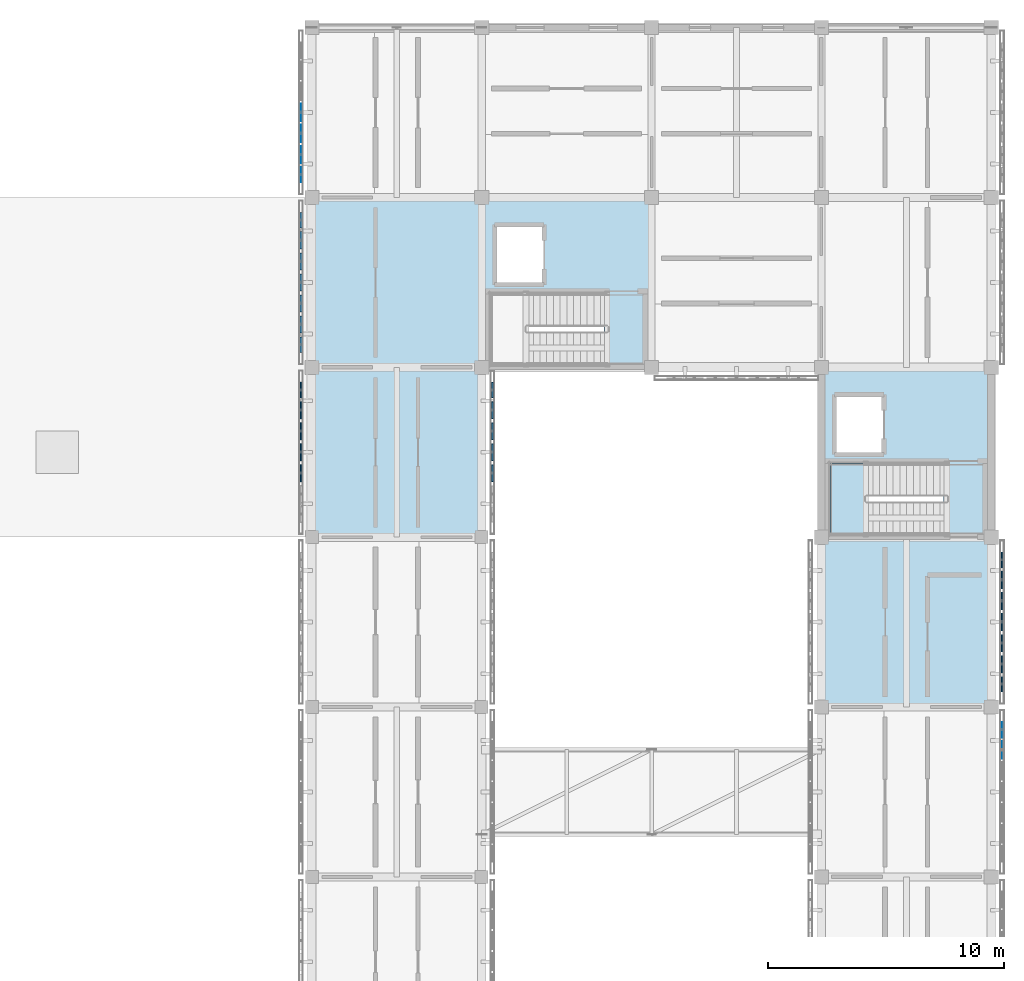
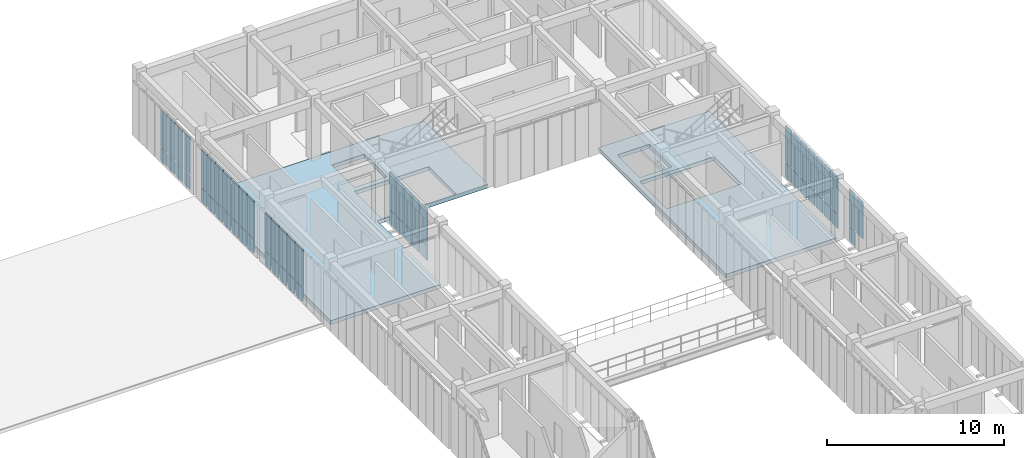
# One storey, part 60 of 91: 59 plates, 3 slabs, 7 elements without a shape of their own.
"""IFC4 building model written with IfcOpenShell, lengths in metres."""

from ifc_helpers import new_model, si_unit, direction, frame, origin, origin_2d, place, context, subcontext, project, spatial, polyline, rectangle, outline, extrude, material, layer, layer_set, type_object, element, aggregate, save


model = new_model("IFC4")

# Units and contexts
model_context = context("Model", 3, precision=1e-05, world=origin(), true_north=direction((0.0, 1.0)))
body_context = subcontext(model_context, "Body", "Model", "MODEL_VIEW")
ifc_project = project(units=[si_unit("LENGTHUNIT", "METRE"), si_unit("AREAUNIT", "SQUARE_METRE"), si_unit("VOLUMEUNIT", "CUBIC_METRE"), si_unit("PLANEANGLEUNIT", "RADIAN"), si_unit("MASSUNIT", "GRAM", prefix="KILO")], contexts=[model_context])

# Site, building, storey
site_placement = place(None, origin())
site = spatial("IfcSite", under=ifc_project, at=site_placement, CompositionType="ELEMENT")
building_placement = place(site_placement, origin())
building = spatial("IfcBuilding", under=site, at=building_placement, Name="Aldebral Square Health Centre", CompositionType="ELEMENT")
storey_placement = place(building_placement, frame((0.0, 0.0, 9.0)))
storey = spatial("IfcBuildingStorey", under=building, at=storey_placement, Name="L02", CompositionType="ELEMENT", Elevation=9.0)

# Curtain wall, plates
ifc_material_1 = material(Name="Aluminium and low-E solar glass", Category="aluminium")
curtain_wall_type = type_object("IfcCurtainWallType", Name="CW-FIN-SYS", PredefinedType="USERDEFINED", material=ifc_material_1)
curtain_wall_1_placement = place(storey_placement, origin())
curtain_wall_1 = element("IfcCurtainWall", 1, at=curtain_wall_1_placement, inside=storey, type_object=curtain_wall_type, Name="L02 V5 finned curtain wall L02-V5-19-15-W", ObjectType="SOLAR_CURTAIN_WALL", PredefinedType="USERDEFINED")
ifc_material_2 = material(Name="Solar-control low-E double glass", Category="glass")
ifc_layer_1 = layer(ifc_material_2, 0.02001953125, Name="Solar-control low-E double glass", Category="glass")
ifc_layer_set_1 = layer_set([ifc_layer_1], Name="Solar-control low-E double glass")
plate_type_1 = type_object("IfcPlateType", Name="CWP-GLZ-1", PredefinedType="CURTAIN_PANEL", material=ifc_layer_set_1)
plate_1_placement = place(storey_placement, frame((136.340087890625, 111.60009765625, 0.074951171875), z_axis=(0.0, 0.0, 1.0), x_axis=(0.0, -1.0, 0.0)))
plate_1 = element("IfcPlate", 2, at=plate_1_placement, type_object=plate_type_1, Name="CW1 panel 4.1", PredefinedType="CURTAIN_PANEL", context=body_context, shape_type="SweptSolid", body=[
    extrude(rectangle(XDim=0.7314453125, YDim=0.02001953125, at=origin_2d()), origin(), (0.0, 0.0, 1.0), 0.9375),
])
plate_2_placement = place(storey_placement, frame((136.340087890625, 111.60009765625, 1.08740234375), z_axis=(0.0, 0.0, 1.0), x_axis=(0.0, -1.0, 0.0)))
plate_2 = element("IfcPlate", 3, at=plate_2_placement, type_object=plate_type_1, Name="CW1 panel 4.2", PredefinedType="CURTAIN_PANEL", context=body_context, shape_type="SweptSolid", body=[
    extrude(rectangle(XDim=0.7314453125, YDim=0.02001953125, at=origin_2d()), origin(), (0.0, 0.0, 1.0), 2.527587890625),
])
plate_3_placement = place(storey_placement, frame((136.340087890625, 110.70849609375, 0.074951171875), z_axis=(0.0, 0.0, 1.0), x_axis=(0.0, -1.0, 0.0)))
plate_3 = element("IfcPlate", 4, at=plate_3_placement, type_object=plate_type_1, Name="CW1 panel 5.1", PredefinedType="CURTAIN_PANEL", context=body_context, shape_type="SweptSolid", body=[
    extrude(rectangle(XDim=0.7314453125, YDim=0.02001953125, at=origin_2d()), origin(), (0.0, 0.0, 1.0), 0.9375),
])
plate_4_placement = place(storey_placement, frame((136.340087890625, 110.70849609375, 1.08740234375), z_axis=(0.0, 0.0, 1.0), x_axis=(0.0, -1.0, 0.0)))
plate_4 = element("IfcPlate", 5, at=plate_4_placement, type_object=plate_type_1, Name="CW1 panel 5.2", PredefinedType="CURTAIN_PANEL", context=body_context, shape_type="SweptSolid", body=[
    extrude(rectangle(XDim=0.7314453125, YDim=0.02001953125, at=origin_2d()), origin(), (0.0, 0.0, 1.0), 2.527587890625),
])
plate_5_placement = place(storey_placement, frame((136.340087890625, 109.817138671875, 0.074951171875), z_axis=(0.0, 0.0, 1.0), x_axis=(0.0, -1.0, 0.0)))
plate_5 = element("IfcPlate", 6, at=plate_5_placement, type_object=plate_type_1, Name="CW1 panel 6.1", PredefinedType="CURTAIN_PANEL", context=body_context, shape_type="SweptSolid", body=[
    extrude(rectangle(XDim=0.7314453125, YDim=0.02001953125, at=origin_2d()), origin(), (0.0, 0.0, 1.0), 0.9375),
])
plate_6_placement = place(storey_placement, frame((136.340087890625, 109.817138671875, 1.08740234375), z_axis=(0.0, 0.0, 1.0), x_axis=(0.0, -1.0, 0.0)))
plate_6 = element("IfcPlate", 7, at=plate_6_placement, type_object=plate_type_1, Name="CW1 panel 6.2", PredefinedType="CURTAIN_PANEL", context=body_context, shape_type="SweptSolid", body=[
    extrude(rectangle(XDim=0.7314453125, YDim=0.02001953125, at=origin_2d()), origin(), (0.0, 0.0, 1.0), 2.527587890625),
])
plate_7_placement = place(storey_placement, frame((136.340087890625, 108.9658203125, 0.074951171875), z_axis=(0.0, 0.0, 1.0), x_axis=(0.0, -1.0, 0.0)))
plate_7 = element("IfcPlate", 8, at=plate_7_placement, type_object=plate_type_1, Name="CW1 panel 7.1", PredefinedType="CURTAIN_PANEL", context=body_context, shape_type="SweptSolid", body=[
    extrude(rectangle(XDim=0.6513671875, YDim=0.02001953125, at=origin_2d()), origin(), (0.0, 0.0, 1.0), 0.9375),
])
plate_8_placement = place(storey_placement, frame((136.340087890625, 108.9658203125, 1.08740234375), z_axis=(0.0, 0.0, 1.0), x_axis=(0.0, -1.0, 0.0)))
plate_8 = element("IfcPlate", 9, at=plate_8_placement, type_object=plate_type_1, Name="CW1 panel 7.2", PredefinedType="CURTAIN_PANEL", context=body_context, shape_type="SweptSolid", body=[
    extrude(rectangle(XDim=0.6513671875, YDim=0.02001953125, at=origin_2d()), origin(), (0.0, 0.0, 1.0), 2.527587890625),
])
aggregate(curtain_wall_1, [plate_1, plate_2, plate_3, plate_4, plate_5, plate_6, plate_7, plate_8])

curtain_wall_2_placement = place(storey_placement, origin())
curtain_wall_2 = element("IfcCurtainWall", 10, at=curtain_wall_2_placement, inside=storey, type_object=curtain_wall_type, Name="L02 V5 finned curtain wall L02-V5-22-11-E", ObjectType="SOLAR_CURTAIN_WALL", PredefinedType="USERDEFINED")
ifc_layer_2 = layer(ifc_material_2, 0.0400390625, Name="Solar-control low-E double glass", Category="glass")
ifc_layer_set_2 = layer_set([ifc_layer_2], Name="Solar-control low-E double glass")
plate_type_2 = type_object("IfcPlateType", Name="CWP-GLZ-3", PredefinedType="CURTAIN_PANEL", material=ifc_layer_set_2)
plate_9_placement = place(storey_placement, frame((166.06005859375, 84.582763671875, 1.08740234375), z_axis=(0.0, 0.0, 1.0), x_axis=(0.0, 1.0, 0.0)))
plate_9 = element("IfcPlate", 11, at=plate_9_placement, type_object=plate_type_2, Name="CW1 panel 6.2", PredefinedType="CURTAIN_PANEL", context=body_context, shape_type="SweptSolid", body=[
    extrude(rectangle(XDim=0.7314453125, YDim=0.0400390625, at=origin_2d()), origin(), (0.0, 0.0, 1.0), 2.527587890625),
])
plate_10_placement = place(storey_placement, frame((166.06005859375, 85.434326171875, 0.074951171875), z_axis=(0.0, 0.0, 1.0), x_axis=(0.0, 1.0, 0.0)))
plate_10 = element("IfcPlate", 12, at=plate_10_placement, type_object=plate_type_2, Name="CW1 panel 7.1", PredefinedType="CURTAIN_PANEL", context=body_context, shape_type="SweptSolid", body=[
    extrude(rectangle(XDim=0.6513671875, YDim=0.0400390625, at=origin_2d()), origin(), (0.0, 0.0, 1.0), 0.9375),
])
plate_11_placement = place(storey_placement, frame((166.06005859375, 85.434326171875, 1.08740234375), z_axis=(0.0, 0.0, 1.0), x_axis=(0.0, 1.0, 0.0)))
plate_11 = element("IfcPlate", 13, at=plate_11_placement, type_object=plate_type_2, Name="CW1 panel 7.2", PredefinedType="CURTAIN_PANEL", context=body_context, shape_type="SweptSolid", body=[
    extrude(rectangle(XDim=0.6513671875, YDim=0.0400390625, at=origin_2d()), origin(), (0.0, 0.0, 1.0), 2.527587890625),
])
aggregate(curtain_wall_2, [plate_9, plate_10, plate_11])

curtain_wall_3_placement = place(storey_placement, origin())
curtain_wall_3 = element("IfcCurtainWall", 14, at=curtain_wall_3_placement, inside=storey, type_object=curtain_wall_type, Name="L02 V5 finned curtain wall L02-V5-22-12-E", ObjectType="SOLAR_CURTAIN_WALL", PredefinedType="USERDEFINED")
ifc_layer_3 = layer(ifc_material_2, 0.06005859375, Name="Solar-control low-E double glass", Category="glass")
ifc_layer_set_3 = layer_set([ifc_layer_3], Name="Solar-control low-E double glass")
plate_type_3 = type_object("IfcPlateType", Name="CWP-GLZ-5", PredefinedType="CURTAIN_PANEL", material=ifc_layer_set_3)
plate_12_placement = place(storey_placement, frame((166.06005859375, 87.36572265625, 0.074951171875), z_axis=(0.0, 0.0, 1.0), x_axis=(0.0, 1.0, 0.0)))
plate_12 = element("IfcPlate", 15, at=plate_12_placement, type_object=plate_type_3, Name="CW1 panel 1.1", PredefinedType="CURTAIN_PANEL", context=body_context, shape_type="SweptSolid", body=[
    extrude(rectangle(XDim=0.6513671875, YDim=0.06005859375, at=origin_2d()), origin(), (0.0, 0.0, 1.0), 0.9375),
])
plate_13_placement = place(storey_placement, frame((166.06005859375, 87.36572265625, 1.08740234375), z_axis=(0.0, 0.0, 1.0), x_axis=(0.0, 1.0, 0.0)))
plate_13 = element("IfcPlate", 16, at=plate_13_placement, type_object=plate_type_3, Name="CW1 panel 1.2", PredefinedType="CURTAIN_PANEL", context=body_context, shape_type="SweptSolid", body=[
    extrude(rectangle(XDim=0.6513671875, YDim=0.06005859375, at=origin_2d()), origin(), (0.0, 0.0, 1.0), 2.527587890625),
])
plate_14_placement = place(storey_placement, frame((166.06005859375, 88.217041015625, 0.074951171875), z_axis=(0.0, 0.0, 1.0), x_axis=(0.0, 1.0, 0.0)))
plate_14 = element("IfcPlate", 17, at=plate_14_placement, type_object=plate_type_3, Name="CW1 panel 2.1", PredefinedType="CURTAIN_PANEL", context=body_context, shape_type="SweptSolid", body=[
    extrude(rectangle(XDim=0.7314453125, YDim=0.06005859375, at=origin_2d()), origin(), (0.0, 0.0, 1.0), 0.9375),
])
plate_15_placement = place(storey_placement, frame((166.06005859375, 88.217041015625, 1.08740234375), z_axis=(0.0, 0.0, 1.0), x_axis=(0.0, 1.0, 0.0)))
plate_15 = element("IfcPlate", 18, at=plate_15_placement, type_object=plate_type_3, Name="CW1 panel 2.2", PredefinedType="CURTAIN_PANEL", context=body_context, shape_type="SweptSolid", body=[
    extrude(rectangle(XDim=0.7314453125, YDim=0.06005859375, at=origin_2d()), origin(), (0.0, 0.0, 1.0), 2.527587890625),
])
plate_16_placement = place(storey_placement, frame((166.06005859375, 89.108642578125, 0.074951171875), z_axis=(0.0, 0.0, 1.0), x_axis=(0.0, 1.0, 0.0)))
plate_16 = element("IfcPlate", 19, at=plate_16_placement, type_object=plate_type_3, Name="CW1 panel 3.1", PredefinedType="CURTAIN_PANEL", context=body_context, shape_type="SweptSolid", body=[
    extrude(rectangle(XDim=0.7314453125, YDim=0.06005859375, at=origin_2d()), origin(), (0.0, 0.0, 1.0), 0.9375),
])
plate_17_placement = place(storey_placement, frame((166.06005859375, 89.108642578125, 1.08740234375), z_axis=(0.0, 0.0, 1.0), x_axis=(0.0, 1.0, 0.0)))
plate_17 = element("IfcPlate", 20, at=plate_17_placement, type_object=plate_type_3, Name="CW1 panel 3.2", PredefinedType="CURTAIN_PANEL", context=body_context, shape_type="SweptSolid", body=[
    extrude(rectangle(XDim=0.7314453125, YDim=0.06005859375, at=origin_2d()), origin(), (0.0, 0.0, 1.0), 2.527587890625),
])
plate_18_placement = place(storey_placement, frame((166.06005859375, 90.0, 0.074951171875), z_axis=(0.0, 0.0, 1.0), x_axis=(0.0, 1.0, 0.0)))
plate_18 = element("IfcPlate", 21, at=plate_18_placement, type_object=plate_type_3, Name="CW1 panel 4.1", PredefinedType="CURTAIN_PANEL", context=body_context, shape_type="SweptSolid", body=[
    extrude(rectangle(XDim=0.7314453125, YDim=0.06005859375, at=origin_2d()), origin(), (0.0, 0.0, 1.0), 0.9375),
])
plate_19_placement = place(storey_placement, frame((166.06005859375, 90.0, 1.08740234375), z_axis=(0.0, 0.0, 1.0), x_axis=(0.0, 1.0, 0.0)))
plate_19 = element("IfcPlate", 22, at=plate_19_placement, type_object=plate_type_3, Name="CW1 panel 4.2", PredefinedType="CURTAIN_PANEL", context=body_context, shape_type="SweptSolid", body=[
    extrude(rectangle(XDim=0.7314453125, YDim=0.06005859375, at=origin_2d()), origin(), (0.0, 0.0, 1.0), 2.527587890625),
])
plate_20_placement = place(storey_placement, frame((166.06005859375, 90.891357421875, 0.074951171875), z_axis=(0.0, 0.0, 1.0), x_axis=(0.0, 1.0, 0.0)))
plate_20 = element("IfcPlate", 23, at=plate_20_placement, type_object=plate_type_3, Name="CW1 panel 5.1", PredefinedType="CURTAIN_PANEL", context=body_context, shape_type="SweptSolid", body=[
    extrude(rectangle(XDim=0.7314453125, YDim=0.06005859375, at=origin_2d()), origin(), (0.0, 0.0, 1.0), 0.9375),
])
plate_21_placement = place(storey_placement, frame((166.06005859375, 90.891357421875, 1.08740234375), z_axis=(0.0, 0.0, 1.0), x_axis=(0.0, 1.0, 0.0)))
plate_21 = element("IfcPlate", 24, at=plate_21_placement, type_object=plate_type_3, Name="CW1 panel 5.2", PredefinedType="CURTAIN_PANEL", context=body_context, shape_type="SweptSolid", body=[
    extrude(rectangle(XDim=0.7314453125, YDim=0.06005859375, at=origin_2d()), origin(), (0.0, 0.0, 1.0), 2.527587890625),
])
plate_22_placement = place(storey_placement, frame((166.06005859375, 91.782958984375, 0.074951171875), z_axis=(0.0, 0.0, 1.0), x_axis=(0.0, 1.0, 0.0)))
plate_22 = element("IfcPlate", 25, at=plate_22_placement, type_object=plate_type_3, Name="CW1 panel 6.1", PredefinedType="CURTAIN_PANEL", context=body_context, shape_type="SweptSolid", body=[
    extrude(rectangle(XDim=0.7314453125, YDim=0.06005859375, at=origin_2d()), origin(), (0.0, 0.0, 1.0), 0.9375),
])
plate_23_placement = place(storey_placement, frame((166.06005859375, 91.782958984375, 1.08740234375), z_axis=(0.0, 0.0, 1.0), x_axis=(0.0, 1.0, 0.0)))
plate_23 = element("IfcPlate", 26, at=plate_23_placement, type_object=plate_type_3, Name="CW1 panel 6.2", PredefinedType="CURTAIN_PANEL", context=body_context, shape_type="SweptSolid", body=[
    extrude(rectangle(XDim=0.7314453125, YDim=0.06005859375, at=origin_2d()), origin(), (0.0, 0.0, 1.0), 2.527587890625),
])
plate_24_placement = place(storey_placement, frame((166.06005859375, 92.63427734375, 0.074951171875), z_axis=(0.0, 0.0, 1.0), x_axis=(0.0, 1.0, 0.0)))
plate_24 = element("IfcPlate", 27, at=plate_24_placement, type_object=plate_type_3, Name="CW1 panel 7.1", PredefinedType="CURTAIN_PANEL", context=body_context, shape_type="SweptSolid", body=[
    extrude(rectangle(XDim=0.6513671875, YDim=0.06005859375, at=origin_2d()), origin(), (0.0, 0.0, 1.0), 0.9375),
])
plate_25_placement = place(storey_placement, frame((166.06005859375, 92.63427734375, 1.08740234375), z_axis=(0.0, 0.0, 1.0), x_axis=(0.0, 1.0, 0.0)))
plate_25 = element("IfcPlate", 28, at=plate_25_placement, type_object=plate_type_3, Name="CW1 panel 7.2", PredefinedType="CURTAIN_PANEL", context=body_context, shape_type="SweptSolid", body=[
    extrude(rectangle(XDim=0.6513671875, YDim=0.06005859375, at=origin_2d()), origin(), (0.0, 0.0, 1.0), 2.527587890625),
])
aggregate(curtain_wall_3, [plate_12, plate_13, plate_14, plate_15, plate_16, plate_17, plate_18, plate_19, plate_20, plate_21, plate_22, plate_23, plate_24, plate_25])

curtain_wall_4_placement = place(storey_placement, origin())
curtain_wall_4 = element("IfcCurtainWall", 29, at=curtain_wall_4_placement, inside=storey, type_object=curtain_wall_type, Name="L02 V5 finned curtain wall L02-V5-19-13-W", ObjectType="SOLAR_CURTAIN_WALL", PredefinedType="USERDEFINED")
ifc_layer_4 = layer(ifc_material_2, 0.070068359375, Name="Solar-control low-E double glass", Category="glass")
ifc_layer_set_4 = layer_set([ifc_layer_4], Name="Solar-control low-E double glass")
plate_type_4 = type_object("IfcPlateType", Name="CWP-GLZ-6", PredefinedType="CURTAIN_PANEL", material=ifc_layer_set_4)
plate_26_placement = place(storey_placement, frame((136.340087890625, 99.834228515625, 0.074951171875), z_axis=(0.0, 0.0, 1.0), x_axis=(0.0, -1.0, 0.0)))
plate_26 = element("IfcPlate", 30, at=plate_26_placement, type_object=plate_type_4, Name="CW1 panel 1.1", PredefinedType="CURTAIN_PANEL", context=body_context, shape_type="SweptSolid", body=[
    extrude(rectangle(XDim=0.6513671875, YDim=0.070068359375, at=origin_2d()), origin(), (0.0, 0.0, 1.0), 0.9375),
])
plate_27_placement = place(storey_placement, frame((136.340087890625, 99.834228515625, 1.08740234375), z_axis=(0.0, 0.0, 1.0), x_axis=(0.0, -1.0, 0.0)))
plate_27 = element("IfcPlate", 31, at=plate_27_placement, type_object=plate_type_4, Name="CW1 panel 1.2", PredefinedType="CURTAIN_PANEL", context=body_context, shape_type="SweptSolid", body=[
    extrude(rectangle(XDim=0.6513671875, YDim=0.070068359375, at=origin_2d()), origin(), (0.0, 0.0, 1.0), 2.527587890625),
])
plate_28_placement = place(storey_placement, frame((136.340087890625, 98.98291015625, 0.074951171875), z_axis=(0.0, 0.0, 1.0), x_axis=(0.0, -1.0, 0.0)))
plate_28 = element("IfcPlate", 32, at=plate_28_placement, type_object=plate_type_4, Name="CW1 panel 2.1", PredefinedType="CURTAIN_PANEL", context=body_context, shape_type="SweptSolid", body=[
    extrude(rectangle(XDim=0.7314453125, YDim=0.070068359375, at=origin_2d()), origin(), (0.0, 0.0, 1.0), 0.9375),
])
plate_29_placement = place(storey_placement, frame((136.340087890625, 98.98291015625, 1.08740234375), z_axis=(0.0, 0.0, 1.0), x_axis=(0.0, -1.0, 0.0)))
plate_29 = element("IfcPlate", 33, at=plate_29_placement, type_object=plate_type_4, Name="CW1 panel 2.2", PredefinedType="CURTAIN_PANEL", context=body_context, shape_type="SweptSolid", body=[
    extrude(rectangle(XDim=0.7314453125, YDim=0.070068359375, at=origin_2d()), origin(), (0.0, 0.0, 1.0), 2.527587890625),
])
plate_30_placement = place(storey_placement, frame((136.340087890625, 98.09130859375, 0.074951171875), z_axis=(0.0, 0.0, 1.0), x_axis=(0.0, -1.0, 0.0)))
plate_30 = element("IfcPlate", 34, at=plate_30_placement, type_object=plate_type_4, Name="CW1 panel 3.1", PredefinedType="CURTAIN_PANEL", context=body_context, shape_type="SweptSolid", body=[
    extrude(rectangle(XDim=0.7314453125, YDim=0.070068359375, at=origin_2d()), origin(), (0.0, 0.0, 1.0), 0.9375),
])
plate_31_placement = place(storey_placement, frame((136.340087890625, 98.09130859375, 1.08740234375), z_axis=(0.0, 0.0, 1.0), x_axis=(0.0, -1.0, 0.0)))
plate_31 = element("IfcPlate", 35, at=plate_31_placement, type_object=plate_type_4, Name="CW1 panel 3.2", PredefinedType="CURTAIN_PANEL", context=body_context, shape_type="SweptSolid", body=[
    extrude(rectangle(XDim=0.7314453125, YDim=0.070068359375, at=origin_2d()), origin(), (0.0, 0.0, 1.0), 2.527587890625),
])
plate_32_placement = place(storey_placement, frame((136.340087890625, 97.199951171875, 0.074951171875), z_axis=(0.0, 0.0, 1.0), x_axis=(0.0, -1.0, 0.0)))
plate_32 = element("IfcPlate", 36, at=plate_32_placement, type_object=plate_type_4, Name="CW1 panel 4.1", PredefinedType="CURTAIN_PANEL", context=body_context, shape_type="SweptSolid", body=[
    extrude(rectangle(XDim=0.7314453125, YDim=0.070068359375, at=origin_2d()), origin(), (0.0, 0.0, 1.0), 0.9375),
])
plate_33_placement = place(storey_placement, frame((136.340087890625, 97.199951171875, 1.08740234375), z_axis=(0.0, 0.0, 1.0), x_axis=(0.0, -1.0, 0.0)))
plate_33 = element("IfcPlate", 37, at=plate_33_placement, type_object=plate_type_4, Name="CW1 panel 4.2", PredefinedType="CURTAIN_PANEL", context=body_context, shape_type="SweptSolid", body=[
    extrude(rectangle(XDim=0.7314453125, YDim=0.070068359375, at=origin_2d()), origin(), (0.0, 0.0, 1.0), 2.527587890625),
])
plate_34_placement = place(storey_placement, frame((136.340087890625, 96.30859375, 0.074951171875), z_axis=(0.0, 0.0, 1.0), x_axis=(0.0, -1.0, 0.0)))
plate_34 = element("IfcPlate", 38, at=plate_34_placement, type_object=plate_type_4, Name="CW1 panel 5.1", PredefinedType="CURTAIN_PANEL", context=body_context, shape_type="SweptSolid", body=[
    extrude(rectangle(XDim=0.7314453125, YDim=0.070068359375, at=origin_2d()), origin(), (0.0, 0.0, 1.0), 0.9375),
])
plate_35_placement = place(storey_placement, frame((136.340087890625, 96.30859375, 1.08740234375), z_axis=(0.0, 0.0, 1.0), x_axis=(0.0, -1.0, 0.0)))
plate_35 = element("IfcPlate", 39, at=plate_35_placement, type_object=plate_type_4, Name="CW1 panel 5.2", PredefinedType="CURTAIN_PANEL", context=body_context, shape_type="SweptSolid", body=[
    extrude(rectangle(XDim=0.7314453125, YDim=0.070068359375, at=origin_2d()), origin(), (0.0, 0.0, 1.0), 2.527587890625),
])
aggregate(curtain_wall_4, [plate_26, plate_27, plate_28, plate_29, plate_30, plate_31, plate_32, plate_33, plate_34, plate_35])

curtain_wall_5_placement = place(storey_placement, origin())
curtain_wall_5 = element("IfcCurtainWall", 40, at=curtain_wall_5_placement, inside=storey, type_object=curtain_wall_type, Name="L02 V5 finned curtain wall L02-V5-19-13-E", ObjectType="SOLAR_CURTAIN_WALL", PredefinedType="USERDEFINED")
ifc_layer_5 = layer(ifc_material_2, 0.080078125, Name="Solar-control low-E double glass", Category="glass")
ifc_layer_set_5 = layer_set([ifc_layer_5], Name="Solar-control low-E double glass")
plate_type_5 = type_object("IfcPlateType", Name="CWP-GLZ-7", PredefinedType="CURTAIN_PANEL", material=ifc_layer_set_5)
plate_36_placement = place(storey_placement, frame((144.4599609375, 96.30859375, 0.074951171875), z_axis=(0.0, 0.0, 1.0), x_axis=(0.0, 1.0, 0.0)))
plate_36 = element("IfcPlate", 41, at=plate_36_placement, type_object=plate_type_5, Name="CW1 panel 3.1", PredefinedType="CURTAIN_PANEL", context=body_context, shape_type="SweptSolid", body=[
    extrude(rectangle(XDim=0.7314453125, YDim=0.080078125, at=origin_2d()), origin(), (0.0, 0.0, 1.0), 0.9375),
])
plate_37_placement = place(storey_placement, frame((144.4599609375, 96.30859375, 1.08740234375), z_axis=(0.0, 0.0, 1.0), x_axis=(0.0, 1.0, 0.0)))
plate_37 = element("IfcPlate", 42, at=plate_37_placement, type_object=plate_type_5, Name="CW1 panel 3.2", PredefinedType="CURTAIN_PANEL", context=body_context, shape_type="SweptSolid", body=[
    extrude(rectangle(XDim=0.7314453125, YDim=0.080078125, at=origin_2d()), origin(), (0.0, 0.0, 1.0), 2.527587890625),
])
plate_38_placement = place(storey_placement, frame((144.4599609375, 97.199951171875, 0.074951171875), z_axis=(0.0, 0.0, 1.0), x_axis=(0.0, 1.0, 0.0)))
plate_38 = element("IfcPlate", 43, at=plate_38_placement, type_object=plate_type_5, Name="CW1 panel 4.1", PredefinedType="CURTAIN_PANEL", context=body_context, shape_type="SweptSolid", body=[
    extrude(rectangle(XDim=0.7314453125, YDim=0.080078125, at=origin_2d()), origin(), (0.0, 0.0, 1.0), 0.9375),
])
plate_39_placement = place(storey_placement, frame((144.4599609375, 97.199951171875, 1.08740234375), z_axis=(0.0, 0.0, 1.0), x_axis=(0.0, 1.0, 0.0)))
plate_39 = element("IfcPlate", 44, at=plate_39_placement, type_object=plate_type_5, Name="CW1 panel 4.2", PredefinedType="CURTAIN_PANEL", context=body_context, shape_type="SweptSolid", body=[
    extrude(rectangle(XDim=0.7314453125, YDim=0.080078125, at=origin_2d()), origin(), (0.0, 0.0, 1.0), 2.527587890625),
])
plate_40_placement = place(storey_placement, frame((144.4599609375, 98.09130859375, 0.074951171875), z_axis=(0.0, 0.0, 1.0), x_axis=(0.0, 1.0, 0.0)))
plate_40 = element("IfcPlate", 45, at=plate_40_placement, type_object=plate_type_5, Name="CW1 panel 5.1", PredefinedType="CURTAIN_PANEL", context=body_context, shape_type="SweptSolid", body=[
    extrude(rectangle(XDim=0.7314453125, YDim=0.080078125, at=origin_2d()), origin(), (0.0, 0.0, 1.0), 0.9375),
])
plate_41_placement = place(storey_placement, frame((144.4599609375, 98.09130859375, 1.08740234375), z_axis=(0.0, 0.0, 1.0), x_axis=(0.0, 1.0, 0.0)))
plate_41 = element("IfcPlate", 46, at=plate_41_placement, type_object=plate_type_5, Name="CW1 panel 5.2", PredefinedType="CURTAIN_PANEL", context=body_context, shape_type="SweptSolid", body=[
    extrude(rectangle(XDim=0.7314453125, YDim=0.080078125, at=origin_2d()), origin(), (0.0, 0.0, 1.0), 2.527587890625),
])
plate_42_placement = place(storey_placement, frame((144.4599609375, 98.98291015625, 0.074951171875), z_axis=(0.0, 0.0, 1.0), x_axis=(0.0, 1.0, 0.0)))
plate_42 = element("IfcPlate", 47, at=plate_42_placement, type_object=plate_type_5, Name="CW1 panel 6.1", PredefinedType="CURTAIN_PANEL", context=body_context, shape_type="SweptSolid", body=[
    extrude(rectangle(XDim=0.7314453125, YDim=0.080078125, at=origin_2d()), origin(), (0.0, 0.0, 1.0), 0.9375),
])
plate_43_placement = place(storey_placement, frame((144.4599609375, 98.98291015625, 1.08740234375), z_axis=(0.0, 0.0, 1.0), x_axis=(0.0, 1.0, 0.0)))
plate_43 = element("IfcPlate", 48, at=plate_43_placement, type_object=plate_type_5, Name="CW1 panel 6.2", PredefinedType="CURTAIN_PANEL", context=body_context, shape_type="SweptSolid", body=[
    extrude(rectangle(XDim=0.7314453125, YDim=0.080078125, at=origin_2d()), origin(), (0.0, 0.0, 1.0), 2.527587890625),
])
plate_44_placement = place(storey_placement, frame((144.4599609375, 99.834228515625, 0.074951171875), z_axis=(0.0, 0.0, 1.0), x_axis=(0.0, 1.0, 0.0)))
plate_44 = element("IfcPlate", 49, at=plate_44_placement, type_object=plate_type_5, Name="CW1 panel 7.1", PredefinedType="CURTAIN_PANEL", context=body_context, shape_type="SweptSolid", body=[
    extrude(rectangle(XDim=0.6513671875, YDim=0.080078125, at=origin_2d()), origin(), (0.0, 0.0, 1.0), 0.9375),
])
plate_45_placement = place(storey_placement, frame((144.4599609375, 99.834228515625, 1.08740234375), z_axis=(0.0, 0.0, 1.0), x_axis=(0.0, 1.0, 0.0)))
plate_45 = element("IfcPlate", 50, at=plate_45_placement, type_object=plate_type_5, Name="CW1 panel 7.2", PredefinedType="CURTAIN_PANEL", context=body_context, shape_type="SweptSolid", body=[
    extrude(rectangle(XDim=0.6513671875, YDim=0.080078125, at=origin_2d()), origin(), (0.0, 0.0, 1.0), 2.527587890625),
])
aggregate(curtain_wall_5, [plate_36, plate_37, plate_38, plate_39, plate_40, plate_41, plate_42, plate_43, plate_44, plate_45])

curtain_wall_6_placement = place(storey_placement, origin())
curtain_wall_6 = element("IfcCurtainWall", 51, at=curtain_wall_6_placement, inside=storey, type_object=curtain_wall_type, Name="L02 V5 finned curtain wall L02-V5-19-14-W", ObjectType="SOLAR_CURTAIN_WALL", PredefinedType="USERDEFINED")
ifc_layer_6 = layer(ifc_material_2, 0.090087890625, Name="Solar-control low-E double glass", Category="glass")
ifc_layer_set_6 = layer_set([ifc_layer_6], Name="Solar-control low-E double glass")
plate_type_6 = type_object("IfcPlateType", Name="CWP-GLZ-8", PredefinedType="CURTAIN_PANEL", material=ifc_layer_set_6)
plate_46_placement = place(storey_placement, frame((136.340087890625, 107.0341796875, 0.074951171875), z_axis=(0.0, 0.0, 1.0), x_axis=(0.0, -1.0, 0.0)))
plate_46 = element("IfcPlate", 52, at=plate_46_placement, type_object=plate_type_6, Name="CW1 panel 1.1", PredefinedType="CURTAIN_PANEL", context=body_context, shape_type="SweptSolid", body=[
    extrude(rectangle(XDim=0.6513671875, YDim=0.090087890625, at=origin_2d()), origin(), (0.0, 0.0, 1.0), 0.9375),
])
plate_47_placement = place(storey_placement, frame((136.340087890625, 107.0341796875, 1.08740234375), z_axis=(0.0, 0.0, 1.0), x_axis=(0.0, -1.0, 0.0)))
plate_47 = element("IfcPlate", 53, at=plate_47_placement, type_object=plate_type_6, Name="CW1 panel 1.2", PredefinedType="CURTAIN_PANEL", context=body_context, shape_type="SweptSolid", body=[
    extrude(rectangle(XDim=0.6513671875, YDim=0.090087890625, at=origin_2d()), origin(), (0.0, 0.0, 1.0), 2.527587890625),
])
plate_48_placement = place(storey_placement, frame((136.340087890625, 106.182861328125, 0.074951171875), z_axis=(0.0, 0.0, 1.0), x_axis=(0.0, -1.0, 0.0)))
plate_48 = element("IfcPlate", 54, at=plate_48_placement, type_object=plate_type_6, Name="CW1 panel 2.1", PredefinedType="CURTAIN_PANEL", context=body_context, shape_type="SweptSolid", body=[
    extrude(rectangle(XDim=0.7314453125, YDim=0.090087890625, at=origin_2d()), origin(), (0.0, 0.0, 1.0), 0.9375),
])
plate_49_placement = place(storey_placement, frame((136.340087890625, 106.182861328125, 1.08740234375), z_axis=(0.0, 0.0, 1.0), x_axis=(0.0, -1.0, 0.0)))
plate_49 = element("IfcPlate", 55, at=plate_49_placement, type_object=plate_type_6, Name="CW1 panel 2.2", PredefinedType="CURTAIN_PANEL", context=body_context, shape_type="SweptSolid", body=[
    extrude(rectangle(XDim=0.7314453125, YDim=0.090087890625, at=origin_2d()), origin(), (0.0, 0.0, 1.0), 2.527587890625),
])
plate_50_placement = place(storey_placement, frame((136.340087890625, 105.29150390625, 0.074951171875), z_axis=(0.0, 0.0, 1.0), x_axis=(0.0, -1.0, 0.0)))
plate_50 = element("IfcPlate", 56, at=plate_50_placement, type_object=plate_type_6, Name="CW1 panel 3.1", PredefinedType="CURTAIN_PANEL", context=body_context, shape_type="SweptSolid", body=[
    extrude(rectangle(XDim=0.7314453125, YDim=0.090087890625, at=origin_2d()), origin(), (0.0, 0.0, 1.0), 0.9375),
])
plate_51_placement = place(storey_placement, frame((136.340087890625, 105.29150390625, 1.08740234375), z_axis=(0.0, 0.0, 1.0), x_axis=(0.0, -1.0, 0.0)))
plate_51 = element("IfcPlate", 57, at=plate_51_placement, type_object=plate_type_6, Name="CW1 panel 3.2", PredefinedType="CURTAIN_PANEL", context=body_context, shape_type="SweptSolid", body=[
    extrude(rectangle(XDim=0.7314453125, YDim=0.090087890625, at=origin_2d()), origin(), (0.0, 0.0, 1.0), 2.527587890625),
])
plate_52_placement = place(storey_placement, frame((136.340087890625, 104.39990234375, 0.074951171875), z_axis=(0.0, 0.0, 1.0), x_axis=(0.0, -1.0, 0.0)))
plate_52 = element("IfcPlate", 58, at=plate_52_placement, type_object=plate_type_6, Name="CW1 panel 4.1", PredefinedType="CURTAIN_PANEL", context=body_context, shape_type="SweptSolid", body=[
    extrude(rectangle(XDim=0.7314453125, YDim=0.090087890625, at=origin_2d()), origin(), (0.0, 0.0, 1.0), 0.9375),
])
plate_53_placement = place(storey_placement, frame((136.340087890625, 104.39990234375, 1.08740234375), z_axis=(0.0, 0.0, 1.0), x_axis=(0.0, -1.0, 0.0)))
plate_53 = element("IfcPlate", 59, at=plate_53_placement, type_object=plate_type_6, Name="CW1 panel 4.2", PredefinedType="CURTAIN_PANEL", context=body_context, shape_type="SweptSolid", body=[
    extrude(rectangle(XDim=0.7314453125, YDim=0.090087890625, at=origin_2d()), origin(), (0.0, 0.0, 1.0), 2.527587890625),
])
plate_54_placement = place(storey_placement, frame((136.340087890625, 103.508544921875, 0.074951171875), z_axis=(0.0, 0.0, 1.0), x_axis=(0.0, -1.0, 0.0)))
plate_54 = element("IfcPlate", 60, at=plate_54_placement, type_object=plate_type_6, Name="CW1 panel 5.1", PredefinedType="CURTAIN_PANEL", context=body_context, shape_type="SweptSolid", body=[
    extrude(rectangle(XDim=0.7314453125, YDim=0.090087890625, at=origin_2d()), origin(), (0.0, 0.0, 1.0), 0.9375),
])
plate_55_placement = place(storey_placement, frame((136.340087890625, 103.508544921875, 1.08740234375), z_axis=(0.0, 0.0, 1.0), x_axis=(0.0, -1.0, 0.0)))
plate_55 = element("IfcPlate", 61, at=plate_55_placement, type_object=plate_type_6, Name="CW1 panel 5.2", PredefinedType="CURTAIN_PANEL", context=body_context, shape_type="SweptSolid", body=[
    extrude(rectangle(XDim=0.7314453125, YDim=0.090087890625, at=origin_2d()), origin(), (0.0, 0.0, 1.0), 2.527587890625),
])
plate_56_placement = place(storey_placement, frame((136.340087890625, 102.6171875, 0.074951171875), z_axis=(0.0, 0.0, 1.0), x_axis=(0.0, -1.0, 0.0)))
plate_56 = element("IfcPlate", 62, at=plate_56_placement, type_object=plate_type_6, Name="CW1 panel 6.1", PredefinedType="CURTAIN_PANEL", context=body_context, shape_type="SweptSolid", body=[
    extrude(rectangle(XDim=0.7314453125, YDim=0.090087890625, at=origin_2d()), origin(), (0.0, 0.0, 1.0), 0.9375),
])
plate_57_placement = place(storey_placement, frame((136.340087890625, 102.6171875, 1.08740234375), z_axis=(0.0, 0.0, 1.0), x_axis=(0.0, -1.0, 0.0)))
plate_57 = element("IfcPlate", 63, at=plate_57_placement, type_object=plate_type_6, Name="CW1 panel 6.2", PredefinedType="CURTAIN_PANEL", context=body_context, shape_type="SweptSolid", body=[
    extrude(rectangle(XDim=0.7314453125, YDim=0.090087890625, at=origin_2d()), origin(), (0.0, 0.0, 1.0), 2.527587890625),
])
plate_58_placement = place(storey_placement, frame((136.340087890625, 101.765625, 0.074951171875), z_axis=(0.0, 0.0, 1.0), x_axis=(0.0, -1.0, 0.0)))
plate_58 = element("IfcPlate", 64, at=plate_58_placement, type_object=plate_type_6, Name="CW1 panel 7.1", PredefinedType="CURTAIN_PANEL", context=body_context, shape_type="SweptSolid", body=[
    extrude(rectangle(XDim=0.6513671875, YDim=0.090087890625, at=origin_2d()), origin(), (0.0, 0.0, 1.0), 0.9375),
])
plate_59_placement = place(storey_placement, frame((136.340087890625, 101.765625, 1.08740234375), z_axis=(0.0, 0.0, 1.0), x_axis=(0.0, -1.0, 0.0)))
plate_59 = element("IfcPlate", 65, at=plate_59_placement, type_object=plate_type_6, Name="CW1 panel 7.2", PredefinedType="CURTAIN_PANEL", context=body_context, shape_type="SweptSolid", body=[
    extrude(rectangle(XDim=0.6513671875, YDim=0.090087890625, at=origin_2d()), origin(), (0.0, 0.0, 1.0), 2.527587890625),
])
aggregate(curtain_wall_6, [plate_46, plate_47, plate_48, plate_49, plate_50, plate_51, plate_52, plate_53, plate_54, plate_55, plate_56, plate_57, plate_58, plate_59])

# Slabs
ifc_material_3 = material(Name="Concrete C35/45", Category="concrete")
ifc_layer_7 = layer(ifc_material_3, 0.260009765625, Name="Concrete C35/45", Category="concrete")
ifc_layer_set_7 = layer_set([ifc_layer_7], Name="Concrete C35/45")
slab_type_1 = type_object("IfcSlabType", Name="SL-FLR-260", PredefinedType="FLOOR", material=ifc_layer_set_7)
slab_1_placement = place(storey_placement, frame((0.0, 0.0, -0.260009765625)))
element("IfcSlab", 66, at=slab_1_placement, inside=storey, type_object=slab_type_1, Name="L02 V5 floor slab 4", PredefinedType="FLOOR", context=body_context, shape_type="SweptSolid", body=[
    extrude(outline(polyline([(136.800048828125, 93.60009765625), (136.800048828125, 100.800048828125), (136.800048828125, 108.0), (144.0, 108.0), (151.199951171875, 108.0), (151.199951171875, 100.800048828125), (144.0, 100.800048828125), (144.0, 93.60009765625), (136.800048828125, 93.60009765625)]), holes=[polyline([(149.179931640625, 103.9599609375), (144.340087890625, 103.9599609375), (144.340087890625, 100.8798828125), (149.179931640625, 100.8798828125), (149.179931640625, 103.9599609375)]), polyline([(146.64990234375, 106.85009765625), (144.550048828125, 106.85009765625), (144.550048828125, 104.300048828125), (146.64990234375, 104.300048828125), (146.64990234375, 106.85009765625)])]), origin(), (0.0, 0.0, 1.0), 0.260009765625),
])
slab_2_placement = place(storey_placement, frame((0.0, 0.0, -0.260009765625)))
element("IfcSlab", 67, at=slab_2_placement, inside=storey, type_object=slab_type_1, Name="L02 V5 floor slab 9", PredefinedType="FLOOR", context=body_context, shape_type="SweptSolid", body=[
    extrude(outline(polyline([(158.39990234375, 86.39990234375), (158.39990234375, 93.60009765625), (158.39990234375, 100.800048828125), (165.60009765625, 100.800048828125), (165.60009765625, 93.60009765625), (165.60009765625, 86.39990234375), (158.39990234375, 86.39990234375)]), holes=[polyline([(163.580078125, 96.760009765625), (158.739990234375, 96.760009765625), (158.739990234375, 93.679931640625), (163.580078125, 93.679931640625), (163.580078125, 96.760009765625)]), polyline([(161.050048828125, 99.64990234375), (158.949951171875, 99.64990234375), (158.949951171875, 97.10009765625), (161.050048828125, 97.10009765625), (161.050048828125, 99.64990234375)])]), origin(), (0.0, 0.0, 1.0), 0.260009765625),
])

# Stair, slab
stair_type = type_object("IfcStairType", Name="ST-DOG-140", PredefinedType="HALF_TURN_STAIR", material=ifc_material_3)
stair_placement = place(storey_placement, origin())
stair = element("IfcStair", 68, at=stair_placement, inside=storey, type_object=stair_type, Name="L02 ST-03", PredefinedType="HALF_TURN_STAIR")
ifc_layer_8 = layer(ifc_material_3, 0.199951171875, Name="Concrete C35/45", Category="concrete")
ifc_layer_set_8 = layer_set([ifc_layer_8], Name="Concrete C35/45")
slab_type_2 = type_object("IfcSlabType", Name="SL-LND-200", PredefinedType="LANDING", material=ifc_layer_set_8)
slab_3_placement = place(storey_placement, frame((0.0, 0.0, 2.050048828125)))
slab_3 = element("IfcSlab", 69, at=slab_3_placement, type_object=slab_type_2, Name="ST-03 landing 1", PredefinedType="LANDING", context=body_context, shape_type="SweptSolid", body=[
    extrude(outline(polyline([(160.300048828125, 96.719970703125), (158.780029296875, 96.719970703125), (158.780029296875, 93.719970703125), (160.300048828125, 93.719970703125), (160.300048828125, 96.719970703125)])), origin(), (0.0, 0.0, 1.0), 0.199951171875),
])
aggregate(stair, [slab_3])

save(model, "model.ifc")
